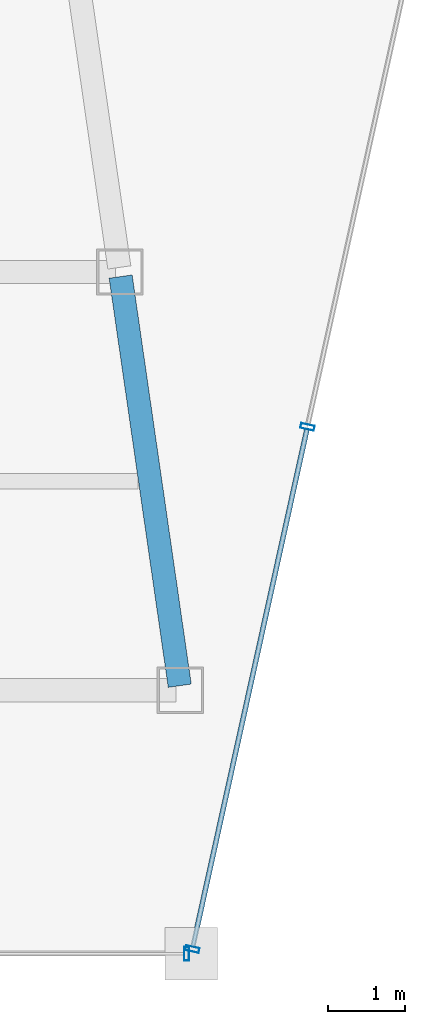
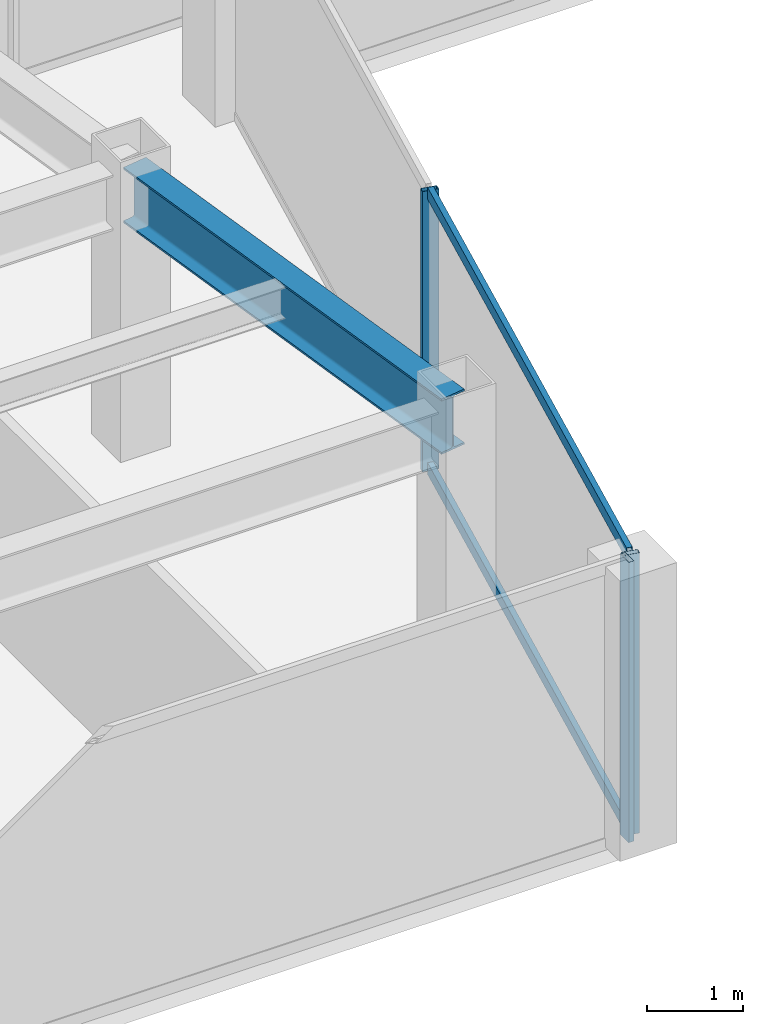
# One storey, part 6 of 40: 5 members, 1 beam, 2 elements without a shape of their own.
"""IFC4 building model written with IfcOpenShell, lengths in metres."""

from ifc_helpers import new_model, si_unit, direction, frame, origin, origin_2d, place, context, subcontext, project, spatial, hollow_rectangle, i_section, extrude, material, material_profile, profile_set, type_object, element, aggregate, save


model = new_model("IFC4")

# Units and contexts
model_context = context("Model", 3, precision=1e-05, world=origin(), true_north=direction((0.0, 1.0)))
body_context = subcontext(model_context, "Body", "Model", "MODEL_VIEW")
ifc_project = project(units=[si_unit("LENGTHUNIT", "METRE"), si_unit("AREAUNIT", "SQUARE_METRE"), si_unit("VOLUMEUNIT", "CUBIC_METRE"), si_unit("PLANEANGLEUNIT", "RADIAN"), si_unit("MASSUNIT", "GRAM", prefix="KILO")], contexts=[model_context])

# Site, building, storey
site_placement = place(None, origin())
site = spatial("IfcSite", under=ifc_project, at=site_placement, CompositionType="ELEMENT")
building_placement = place(site_placement, origin())
building = spatial("IfcBuilding", under=site, at=building_placement, Name="Saevonmaru Cultural Tower", CompositionType="ELEMENT")
storey_placement = place(building_placement, frame((0.0, 0.0, 129.60009765625)))
storey = spatial("IfcBuildingStorey", under=building, at=storey_placement, Name="L27", CompositionType="ELEMENT", Elevation=129.60009765625)

# Beam
ifc_material_1 = material(Name="Steel SM355", Category="steel")
ifc_material_profile_1 = material_profile(ifc_material_1, i_section(OverallWidth=0.300048828125, OverallDepth=0.699951171875, WebThickness=0.012939453125, FlangeThickness=0.02392578125, FilletRadius=0.02587890625, at=origin_2d()), Name="H-700x300x13x24")
ifc_profile_set_1 = profile_set([ifc_material_profile_1], Name="Steel SM355")
beam_type = type_object("IfcBeamType", Name="BM-G-H700", PredefinedType="BEAM", material=ifc_profile_set_1)
beam_placement = place(storey_placement, frame((22.699462890625, 10.659423828125, 3.199951171875), z_axis=(-0.142977693794, 0.989725911087, 0.0), x_axis=(-0.989725911087, -0.142977693794, 0.0)))
element("IfcBeam", 1, at=beam_placement, inside=storey, type_object=beam_type, Name="L27 West Atrium Girder 1", PredefinedType="BEAM", context=body_context, shape_type="SweptSolid", body=[
    extrude(i_section(OverallWidth=0.300048828125, OverallDepth=0.699951171875, WebThickness=0.012939453125, FlangeThickness=0.02392578125, FilletRadius=0.02587890625, at=origin_2d()), origin(), (0.0, 0.0, 1.0), 5.336181640625),
])

# Curtain wall, member
ifc_material_2 = material(Name="Satin Bronze Anodised Aluminium", Category="aluminium")
curtain_wall_type = type_object("IfcCurtainWallType", Name="CW-SKY-GLZ", PredefinedType="NOTDEFINED", material=ifc_material_2)
curtain_wall_1_placement = place(storey_placement, origin())
curtain_wall_1 = element("IfcCurtainWall", 2, at=curtain_wall_1_placement, inside=storey, type_object=curtain_wall_type, Name="L27 Unitised Curtain Wall E2", PredefinedType="NOTDEFINED")
ifc_material_profile_2 = material_profile(ifc_material_2, hollow_rectangle(XDim=0.06494140625, YDim=0.179931640625, WallThickness=0.00390625, at=origin_2d()), Name="ALU-MULL-180x65x4")
ifc_profile_set_2 = profile_set([ifc_material_profile_2], Name="Satin Bronze Anodised Aluminium")
member_type_1 = type_object("IfcMemberType", Name="ML-CW-180x65", PredefinedType="MULLION", material=ifc_profile_set_2)
member_1_placement = place(storey_placement, frame((22.788818359375, 7.199951171875, 0.0), z_axis=(0.0, 0.0, 1.0), x_axis=(1.0, 0.0, 0.0)))
member_1 = element("IfcMember", 3, at=member_1_placement, type_object=member_type_1, Name="CW-TW-L27-E2 mullion 2", PredefinedType="MULLION", context=body_context, shape_type="SweptSolid", body=[
    extrude(hollow_rectangle(XDim=0.06494140625, YDim=0.179931640625, WallThickness=0.00390625, at=origin_2d()), origin(), (0.0, 0.0, 1.0), 3.5498046875),
])
aggregate(curtain_wall_1, [member_1])

# Curtain wall, members
curtain_wall_2_placement = place(storey_placement, origin())
curtain_wall_2 = element("IfcCurtainWall", 4, at=curtain_wall_2_placement, inside=storey, type_object=curtain_wall_type, Name="L27 Unitised Curtain Wall E3", PredefinedType="NOTDEFINED")
member_2_placement = place(storey_placement, frame((22.86181640625, 7.258544921875, 0.0), z_axis=(0.0, 0.0, 1.0), x_axis=(0.215413319953, 0.976522965212, 0.0)))
member_2 = element("IfcMember", 5, at=member_2_placement, type_object=member_type_1, Name="CW-TW-L27-E3 mullion 1", PredefinedType="MULLION", context=body_context, shape_type="SweptSolid", body=[
    extrude(hollow_rectangle(XDim=0.06494140625, YDim=0.179931640625, WallThickness=0.00390625, at=origin_2d()), origin(), (0.0, 0.0, 1.0), 3.5498046875),
])
member_3_placement = place(storey_placement, frame((24.348876953125, 14.0, 0.0), z_axis=(0.0, 0.0, 1.0), x_axis=(0.215413319953, 0.976522965212, 0.0)))
member_3 = element("IfcMember", 6, at=member_3_placement, type_object=member_type_1, Name="CW-TW-L27-E3 mullion 2", PredefinedType="MULLION", context=body_context, shape_type="SweptSolid", body=[
    extrude(hollow_rectangle(XDim=0.06494140625, YDim=0.179931640625, WallThickness=0.00390625, at=origin_2d()), origin(), (0.0, 0.0, 1.0), 3.5498046875),
])
ifc_material_profile_3 = material_profile(ifc_material_2, hollow_rectangle(XDim=0.06494140625, YDim=0.14990234375, WallThickness=0.00390625, at=origin_2d()), Name="ALU-TRAN-150x65x4")
ifc_profile_set_3 = profile_set([ifc_material_profile_3], Name="Satin Bronze Anodised Aluminium")
member_type_2 = type_object("IfcMemberType", Name="TR-CW-150x65", PredefinedType="USERDEFINED", material=ifc_profile_set_3)
member_4_placement = place(storey_placement, frame((22.868896484375, 7.290283203125, 0.032470703125), z_axis=(0.215384122519, 0.97652940548, 0.0), x_axis=(-0.97652940548, 0.215384122519, 0.0)))
member_4 = element("IfcMember", 7, at=member_4_placement, type_object=member_type_2, Name="CW-TW-L27-E3 transom 1.1", ObjectType="TRANSOM", PredefinedType="USERDEFINED", context=body_context, shape_type="SweptSolid", body=[
    extrude(hollow_rectangle(XDim=0.06494140625, YDim=0.14990234375, WallThickness=0.00390625, at=origin_2d()), origin(), (0.0, 0.0, 1.0), 6.83837890625),
])
member_5_placement = place(storey_placement, frame((22.868896484375, 7.290283203125, 3.517333984375), z_axis=(0.215384122519, 0.97652940548, 0.0), x_axis=(-0.97652940548, 0.215384122519, 0.0)))
member_5 = element("IfcMember", 8, at=member_5_placement, type_object=member_type_2, Name="CW-TW-L27-E3 transom 1.2", ObjectType="TRANSOM", PredefinedType="USERDEFINED", context=body_context, shape_type="SweptSolid", body=[
    extrude(hollow_rectangle(XDim=0.06494140625, YDim=0.14990234375, WallThickness=0.00390625, at=origin_2d()), origin(), (0.0, 0.0, 1.0), 6.83837890625),
])
aggregate(curtain_wall_2, [member_2, member_3, member_4, member_5])

save(model, "model.ifc")
